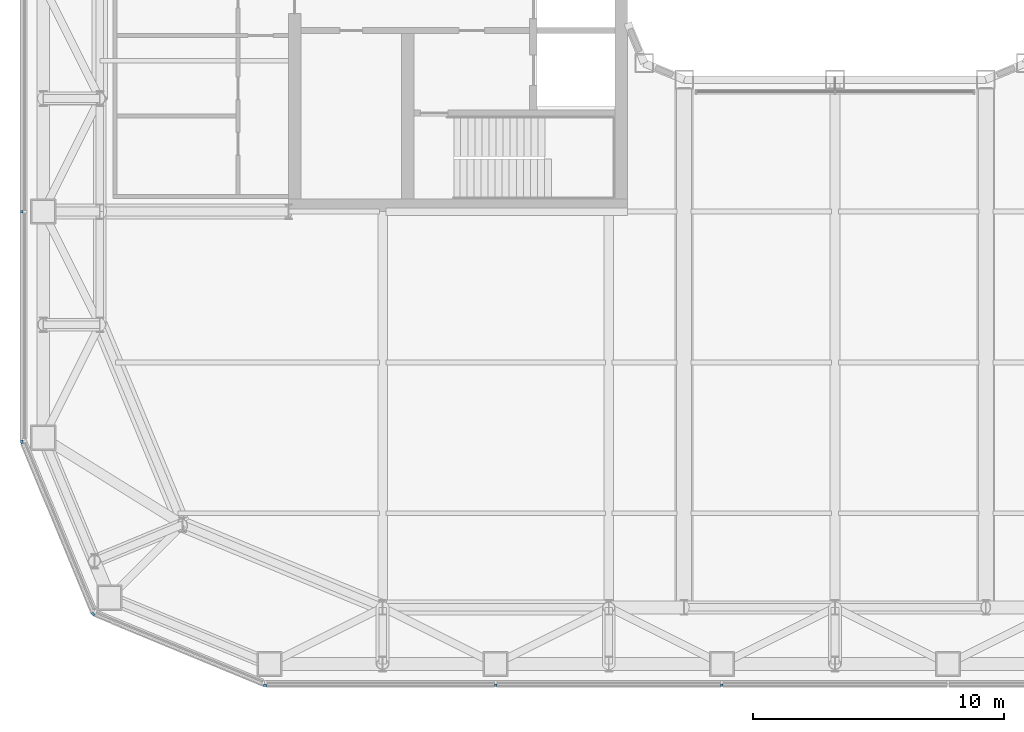
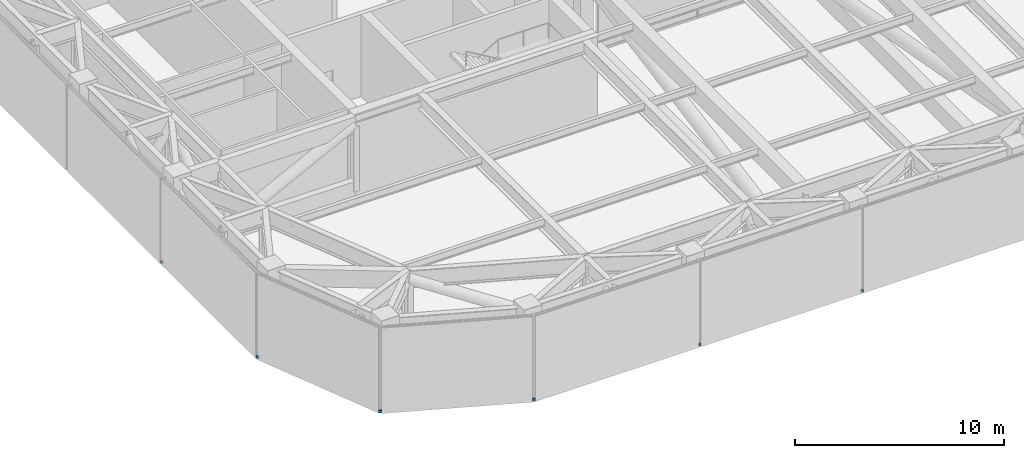
# One storey, part 20 of 33: 6 discrete accessories.
"""IFC4 building model written with IfcOpenShell, lengths in metres."""

from ifc_helpers import new_model, si_unit, direction, frame, origin, origin_2d, place, context, subcontext, project, spatial, rectangle, extrude, material, type_object, element, save


model = new_model("IFC4")

# Units and contexts
model_context = context("Model", 3, precision=1e-05, world=origin(), true_north=direction((0.0, 1.0)))
body_context = subcontext(model_context, "Body", "Model", "MODEL_VIEW")
ifc_project = project(units=[si_unit("LENGTHUNIT", "METRE"), si_unit("AREAUNIT", "SQUARE_METRE"), si_unit("VOLUMEUNIT", "CUBIC_METRE"), si_unit("PLANEANGLEUNIT", "RADIAN"), si_unit("MASSUNIT", "GRAM", prefix="KILO")], contexts=[model_context])

# Site, building, storey
site_placement = place(None, origin())
site = spatial("IfcSite", under=ifc_project, at=site_placement, CompositionType="ELEMENT")
building_placement = place(site_placement, origin())
building = spatial("IfcBuilding", under=site, at=building_placement, Name="Siwar Civic Tower", CompositionType="ELEMENT")
storey_placement = place(building_placement, frame((0.0, 0.0, 94.199951171875)))
storey = spatial("IfcBuildingStorey", under=building, at=storey_placement, Name="L20", CompositionType="ELEMENT", Elevation=94.199951171875)

# Discrete accessories
ifc_material = material(Name="Stainless steel 316", Category="steel")
discrete_accessory_type = type_object("IfcDiscreteAccessoryType", Name="ENV-BRACKET", PredefinedType="BRACKET", material=ifc_material)
for number, where, z_axis, x_axis, name in (
    (1, (-13.5, -32.35009765625, -0.1796875), (0.0, 0.0, 1.0), (0.0, -1.0, 0.0), "Bracket outer skin joint S-01"),
    (2, (-4.5, -32.35009765625, -0.1796875), (0.0, 0.0, 1.0), (0.0, -1.0, 0.0), "Bracket outer skin joint S-02"),
):
    element("IfcDiscreteAccessory", number, at=place(storey_placement, frame(where, z_axis=z_axis, x_axis=x_axis)), inside=storey, type_object=discrete_accessory_type, Name=name, PredefinedType="BRACKET", context=body_context, shape_type="SweptSolid", body=[
        extrude(rectangle(XDim=0.10009765625, YDim=0.10009765625, at=origin_2d()), origin(), (0.0, 0.0, 1.0), 0.159912109375),
    ])
for number, where, z_axis, x_axis, name in (
    (3, (-22.669189453125, -32.35009765625, -0.1796875), (0.0, 0.0, 1.0), (-0.195090322016, -0.980785280403, 0.0), "Bracket outer skin joint V00"),
    (4, (-32.35009765625, -22.669189453125, -0.1796875), (0.0, 0.0, 1.0), (-0.980785280403, -0.195090322016, 0.0), "Bracket outer skin joint V10"),
):
    element("IfcDiscreteAccessory", number, at=place(storey_placement, frame(where, z_axis=z_axis, x_axis=x_axis)), inside=storey, type_object=discrete_accessory_type, Name=name, PredefinedType="BRACKET", context=body_context, shape_type="SweptSolid", body=[
        extrude(rectangle(XDim=0.10205078125, YDim=0.13720703125, at=origin_2d()), origin(), (0.0, 0.0, 1.0), 0.159912109375),
    ])
discrete_accessory_1_placement = place(storey_placement, frame((-29.514404296875, -29.514404296875, -0.1796875), z_axis=(0.0, 0.0, 1.0), x_axis=(-0.707106781187, -0.707106781187, 0.0)))
element("IfcDiscreteAccessory", 5, at=discrete_accessory_1_placement, inside=storey, type_object=discrete_accessory_type, Name="Bracket outer skin joint V11", PredefinedType="BRACKET", context=body_context, shape_type="SweptSolid", body=[
    extrude(rectangle(XDim=0.108154296875, YDim=0.12939453125, at=origin_2d()), origin(), (0.0, 0.0, 1.0), 0.159912109375),
])
discrete_accessory_2_placement = place(storey_placement, frame((-32.35009765625, -13.5, -0.1796875), z_axis=(0.0, 0.0, 1.0), x_axis=(-1.0, 0.0, 0.0)))
element("IfcDiscreteAccessory", 6, at=discrete_accessory_2_placement, inside=storey, type_object=discrete_accessory_type, Name="Bracket outer skin joint W-04", PredefinedType="BRACKET", context=body_context, shape_type="SweptSolid", body=[
    extrude(rectangle(XDim=0.10009765625, YDim=0.10009765625, at=origin_2d()), origin(), (0.0, 0.0, 1.0), 0.159912109375),
])

save(model, "model.ifc")
